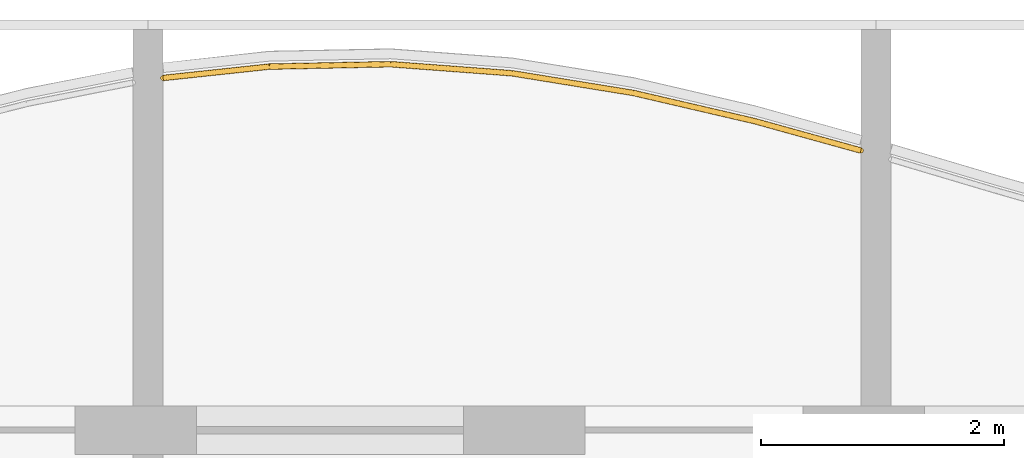
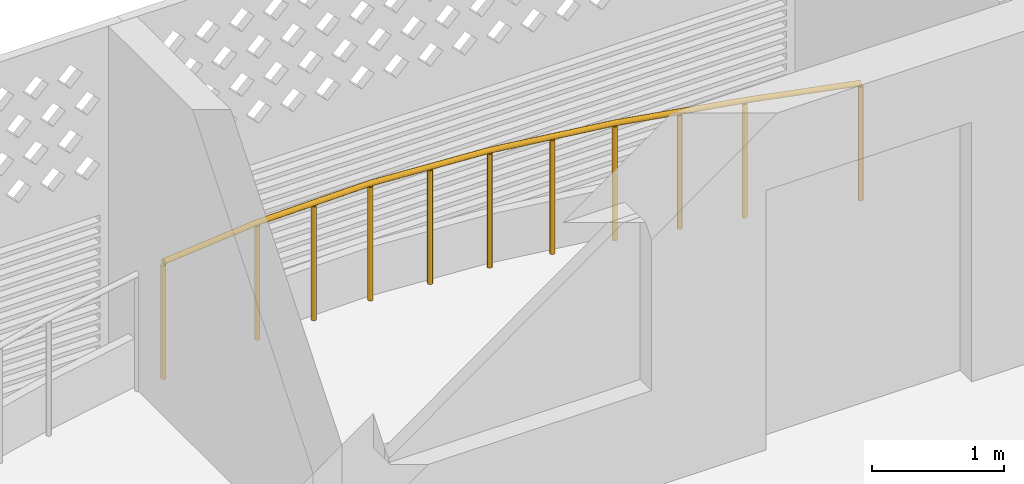
# One storey, part 26 of 29: 1 railing.
"""IFC4 building model written with IfcOpenShell, lengths in metres."""

import ifcopenshell
import ifcopenshell.guid

model = None  # the IFC model being written
_history = None  # IfcOwnerHistory: only IFC2X3 demands one
_inside = {}  # id of a spatial element -> (the spatial element, [elements in it])
_under = {}  # id of a project, library or spatial element -> (it, [spatial elements below it])
_declared = {}  # id of a project -> (the project, [libraries it declares])
_typed = {}  # id of a type object -> (the type object, [elements of that type])
_made_of = {}  # id of a material, layer set ... -> (it, [elements and type objects made of it])


def new_model(schema):
    """Start an empty IFC model of exactly this schema.

    Asked for "IFC4X3", IfcOpenShell would pick the latest addendum, in which some entities
    have other attributes; the version numbers below select the first issue.
    IFC2X3 requires an IfcOwnerHistory on every rooted entity: one is made here for all.
    """
    global model, _history
    if schema == "IFC4X3":
        model = ifcopenshell.file(schema_version=(4, 3, 0, 0))
    else:
        model = ifcopenshell.file(schema=schema)
    _inside.clear()
    _under.clear()
    _declared.clear()
    _typed.clear()
    _made_of.clear()
    _history = None
    if model.schema == "IFC2X3":
        org = make("IfcOrganization", Name="unknown")
        user = make(
            "IfcPersonAndOrganization",
            ThePerson=make("IfcPerson", FamilyName="unknown"),
            TheOrganization=org,
        )
        app = make(
            "IfcApplication",
            ApplicationDeveloper=org,
            Version="unknown",
            ApplicationFullName="unknown",
            ApplicationIdentifier="unknown",
        )
        _history = make(
            "IfcOwnerHistory",
            OwningUser=user,
            OwningApplication=app,
            ChangeAction="ADDED",
            CreationDate=0,
        )
    return model


def make(cls, **values):
    """One entity of the class cls with the attributes given. An attribute that is None is left unset."""
    return model.create_entity(
        cls, **{name: value for name, value in values.items() if value is not None}
    )


def rooted(cls, **values):
    """An entity with a GlobalId (a new one), such as an element, a storey or a relation."""
    return make(cls, GlobalId=ifcopenshell.guid.new(), OwnerHistory=_history, **values)


def si_unit(unit_type, name, prefix=None):
    """IfcSIUnit, for example si_unit("LENGTHUNIT", "METRE", prefix="MILLI")."""
    return make("IfcSIUnit", UnitType=unit_type, Prefix=prefix, Name=name)


def assignment(units):
    """IfcUnitAssignment: the units of a project."""
    return None if units is None else make("IfcUnitAssignment", Units=units)


def point(xyz):
    """IfcCartesianPoint."""
    return None if xyz is None else make("IfcCartesianPoint", Coordinates=xyz)


def direction(xyz):
    """IfcDirection."""
    return None if xyz is None else make("IfcDirection", DirectionRatios=xyz)


def frame(location, z_axis=None, x_axis=None):
    """IfcAxis2Placement3D, a coordinate frame: its origin and axes. An axis left out is left unset."""
    return make(
        "IfcAxis2Placement3D",
        Location=point(location),
        Axis=direction(z_axis),
        RefDirection=direction(x_axis),
    )


def frame_2d(location, x_axis=None):
    """IfcAxis2Placement2D, a coordinate frame in the plane: its origin and x axis."""
    return make(
        "IfcAxis2Placement2D", Location=point(location), RefDirection=direction(x_axis)
    )


def origin():
    """The frame at (0, 0, 0) with its axes left unset."""
    return frame((0.0, 0.0, 0.0))


def origin_2d():
    """The frame at (0, 0) in the plane with its x axis left unset."""
    return frame_2d((0.0, 0.0))


def place(relative_to, where):
    """IfcLocalPlacement: puts the frame where relative to a parent placement (None: the world)."""
    return make(
        "IfcLocalPlacement", PlacementRelTo=relative_to, RelativePlacement=where
    )


def context(
    kind, dimensions, precision=None, world=None, true_north=None, identifier=None
):
    """IfcGeometricRepresentationContext, for example the 3D "Model" context."""
    return make(
        "IfcGeometricRepresentationContext",
        ContextIdentifier=identifier,
        ContextType=kind,
        CoordinateSpaceDimension=dimensions,
        Precision=precision,
        WorldCoordinateSystem=world,
        TrueNorth=true_north,
    )


def subcontext(parent, identifier, kind, view, scale=None):
    """IfcGeometricRepresentationSubContext, for example "Body" below "Model"."""
    return make(
        "IfcGeometricRepresentationSubContext",
        ContextIdentifier=identifier,
        ContextType=kind,
        ParentContext=parent,
        TargetScale=scale,
        TargetView=view,
    )


def project(units=None, contexts=None):
    """IfcProject with its units and contexts."""
    return rooted(
        "IfcProject",
        Name="project",
        RepresentationContexts=contexts,
        UnitsInContext=assignment(units),
    )


def spatial(cls, under=None, at=None, **own):
    """A site, building, storey or space (cls), placed at a placement, below another one or the project."""
    s = rooted(cls, ObjectPlacement=at, **own)
    if under is not None:
        _under.setdefault(under.id(), (under, []))[1].append(s)
    return s


def profile(cls, at=None, kind="AREA", **sizes):
    """A parametric profile (cls). Its sizes go by their IFC names, for example OverallWidth=200.0."""
    return make(cls, ProfileType=kind, Position=at, **sizes)


def circle(**sizes):
    """IfcCircleProfileDef."""
    return profile("IfcCircleProfileDef", **sizes)


def extrude(swept, where, along, depth):
    """IfcExtrudedAreaSolid: the profile swept, set in the frame where, extruded along a direction by depth."""
    return make(
        "IfcExtrudedAreaSolid",
        SweptArea=swept,
        Position=where,
        ExtrudedDirection=direction(along),
        Depth=depth,
    )


def shape(context_of_items, identifier, shape_type, items):
    """IfcShapeRepresentation: the items that make up one representation, for example the "Body"."""
    return make(
        "IfcShapeRepresentation",
        ContextOfItems=context_of_items,
        RepresentationIdentifier=identifier,
        RepresentationType=shape_type,
        Items=items,
    )


def material(Name=None, Category=None):
    """IfcMaterial."""
    return make("IfcMaterial", Name=Name, Category=Category)


def made_of(thing, what):
    """Note that an element or type object is made of a material, layer set ...; save() writes the relation."""
    if what is not None:
        _made_of.setdefault(what.id(), (what, []))[1].append(thing)
    return thing


def type_object(cls, material=None, **own):
    """A type object (cls), such as IfcWallType, which elements share."""
    return made_of(rooted(cls, **own), material)


def element(
    cls,
    number,
    at=None,
    inside=None,
    cuts=None,
    type_object=None,
    material=None,
    context=None,
    identifier="Body",
    shape_type=None,
    held_by="IfcProductDefinitionShape",
    body=None,
    shapes=None,
    **own,
):
    """One element of the class cls, such as IfcWall. Its Tag is "e" and its number.

    at: its placement. inside: the storey or other place that contains it. cuts: it is an
    opening in that element (IfcRelVoidsElement). A single representation is given by context,
    identifier, shape_type and body (its items); several are given by shapes. held_by: the class
    of the entity that holds the representations. save() writes the other relations.
    """
    e = rooted(cls, Tag="e%d" % number, ObjectPlacement=at, **own)
    if body is not None:
        shapes = [shape(context, identifier, shape_type, body)]
    if shapes is not None:
        e.Representation = make(held_by, Representations=shapes)
    if inside is not None:
        _inside.setdefault(inside.id(), (inside, []))[1].append(e)
    if cuts is not None:
        rooted(
            "IfcRelVoidsElement", RelatingBuildingElement=cuts, RelatedOpeningElement=e
        )
    if type_object is not None:
        _typed.setdefault(type_object.id(), (type_object, []))[1].append(e)
    return made_of(e, material)


def aggregate(whole, parts):
    """IfcRelAggregates: a whole, such as a stair, and the parts it consists of."""
    return rooted("IfcRelAggregates", RelatingObject=whole, RelatedObjects=parts)


def save(model, path):
    """Write the relations noted so far, then the file.

    IfcRelAggregates (storeys below a building ...), IfcRelContainedInSpatialStructure (elements
    in a storey), IfcRelDefinesByType, IfcRelAssociatesMaterial and IfcRelDeclares: one each for
    every whole, place, type object, material and project.
    """
    for whole, parts in _under.values():
        aggregate(whole, parts)
    for where, things in _inside.values():
        rooted(
            "IfcRelContainedInSpatialStructure",
            RelatedElements=things,
            RelatingStructure=where,
        )
    for kind, things in _typed.values():
        rooted("IfcRelDefinesByType", RelatedObjects=things, RelatingType=kind)
    for what, things in _made_of.values():
        rooted("IfcRelAssociatesMaterial", RelatedObjects=things, RelatingMaterial=what)
    for by, libraries in _declared.values():
        rooted("IfcRelDeclares", RelatingContext=by, RelatedDefinitions=libraries)
    model.write(path)


model = new_model("IFC4")

# Units and contexts
model_context = context("Model", 3, precision=1e-05, world=origin(), true_north=direction((0.0, 1.0)))
body_context = subcontext(model_context, "Body", "Model", "MODEL_VIEW")
ifc_project = project(units=[si_unit("LENGTHUNIT", "METRE"), si_unit("AREAUNIT", "SQUARE_METRE"), si_unit("VOLUMEUNIT", "CUBIC_METRE"), si_unit("PLANEANGLEUNIT", "RADIAN"), si_unit("MASSUNIT", "GRAM", prefix="KILO")], contexts=[model_context])

# Site, building, storey
site_placement = place(None, origin())
site = spatial("IfcSite", under=ifc_project, at=site_placement, CompositionType="ELEMENT")
building_placement = place(site_placement, origin())
building = spatial("IfcBuilding", under=site, at=building_placement, Name="Poui Terraces", CompositionType="ELEMENT")
storey_placement = place(building_placement, frame((0.0, 0.0, 234.60009765625)))
storey = spatial("IfcBuildingStorey", under=building, at=storey_placement, Name="L65", CompositionType="ELEMENT", Elevation=234.60009765625)

# Railing
ifc_material = material(Name="Painted steel fretwork", Category="steel")
railing_type = type_object("IfcRailingType", Name="BALCONY GUARD 1100", PredefinedType="GUARDRAIL", material=ifc_material)
railing_placement = place(storey_placement, frame((66.125, 44.102294921875, 0.0)))
element("IfcRailing", 1, at=railing_placement, inside=storey, type_object=railing_type, Name="BALCONY GUARD", PredefinedType="GUARDRAIL", context=body_context, shape_type="SweptSolid", body=[
    extrude(circle(Radius=0.02392578125, at=origin_2d()), frame((0.0, 0.0, 1.076171875), z_axis=(0.99430915392, 0.106533123634, 0.0), x_axis=(-0.106533123634, 0.99430915392, 0.0)), (0.0, 0.0, 1.0), 0.880126953125),
    extrude(circle(Radius=0.02392578125, at=origin_2d()), frame((0.875, 0.09375, 1.076171875), z_axis=(0.999804524294, 0.019771525017, 0.0), x_axis=(-0.019771525017, 0.999804524294, 0.0)), (0.0, 0.0, 1.0), 1.000244140625),
    extrude(circle(Radius=0.02392578125, at=origin_2d()), frame((1.875, 0.113525390625, 1.076171875), z_axis=(0.997221056601, -0.074499424639, 0.0), x_axis=(0.074499424639, 0.997221056601, 0.0)), (0.0, 0.0, 1.0), 1.002685546875),
    extrude(circle(Radius=0.02392578125, at=origin_2d()), frame((2.875, 0.038818359375, 1.076171875), z_axis=(0.987113709708, -0.160020386535, 0.0), x_axis=(0.160020386535, 0.987113709708, 0.0)), (0.0, 0.0, 1.0), 1.012939453125),
    extrude(circle(Radius=0.02392578125, at=origin_2d()), frame((3.875, -0.123291015625, 1.076171875), z_axis=(0.974037301865, -0.226387576019, 0.0), x_axis=(0.226387576019, 0.974037301865, 0.0)), (0.0, 0.0, 1.0), 1.026611328125),
    extrude(circle(Radius=0.02392578125, at=origin_2d()), frame((4.875, -0.355712890625, 1.076171875), z_axis=(0.963764063419, -0.266756124696, 0.0), x_axis=(0.266756124696, 0.963764063419, 0.0)), (0.0, 0.0, 1.0), 0.907958984375),
    extrude(circle(Radius=0.02099609375, at=origin_2d()), origin(), (0.0, 0.0, 1.0), 1.052001953125),
    extrude(circle(Radius=0.02099609375, at=origin_2d()), frame((0.875, 0.09375, 0.0)), (0.0, 0.0, 1.0), 1.052001953125),
    extrude(circle(Radius=0.02099609375, at=origin_2d()), frame((1.375, 0.103515625, 0.0)), (0.0, 0.0, 1.0), 1.052001953125),
    extrude(circle(Radius=0.02099609375, at=origin_2d()), frame((1.875, 0.113525390625, 0.0)), (0.0, 0.0, 1.0), 1.052001953125),
    extrude(circle(Radius=0.02099609375, at=origin_2d()), frame((2.375, 0.076171875, 0.0)), (0.0, 0.0, 1.0), 1.052001953125),
    extrude(circle(Radius=0.02099609375, at=origin_2d()), frame((2.875, 0.038818359375, 0.0)), (0.0, 0.0, 1.0), 1.052001953125),
    extrude(circle(Radius=0.02099609375, at=origin_2d()), frame((3.375, -0.042236328125, 0.0)), (0.0, 0.0, 1.0), 1.052001953125),
    extrude(circle(Radius=0.02099609375, at=origin_2d()), frame((3.875, -0.123291015625, 0.0)), (0.0, 0.0, 1.0), 1.052001953125),
    extrude(circle(Radius=0.02099609375, at=origin_2d()), frame((4.375, -0.239501953125, 0.0)), (0.0, 0.0, 1.0), 1.052001953125),
    extrude(circle(Radius=0.02099609375, at=origin_2d()), frame((4.875, -0.355712890625, 0.0)), (0.0, 0.0, 1.0), 1.052001953125),
    extrude(circle(Radius=0.02099609375, at=origin_2d()), frame((5.75, -0.597900390625, 0.0)), (0.0, 0.0, 1.0), 1.052001953125),
])

save(model, "model.ifc")
